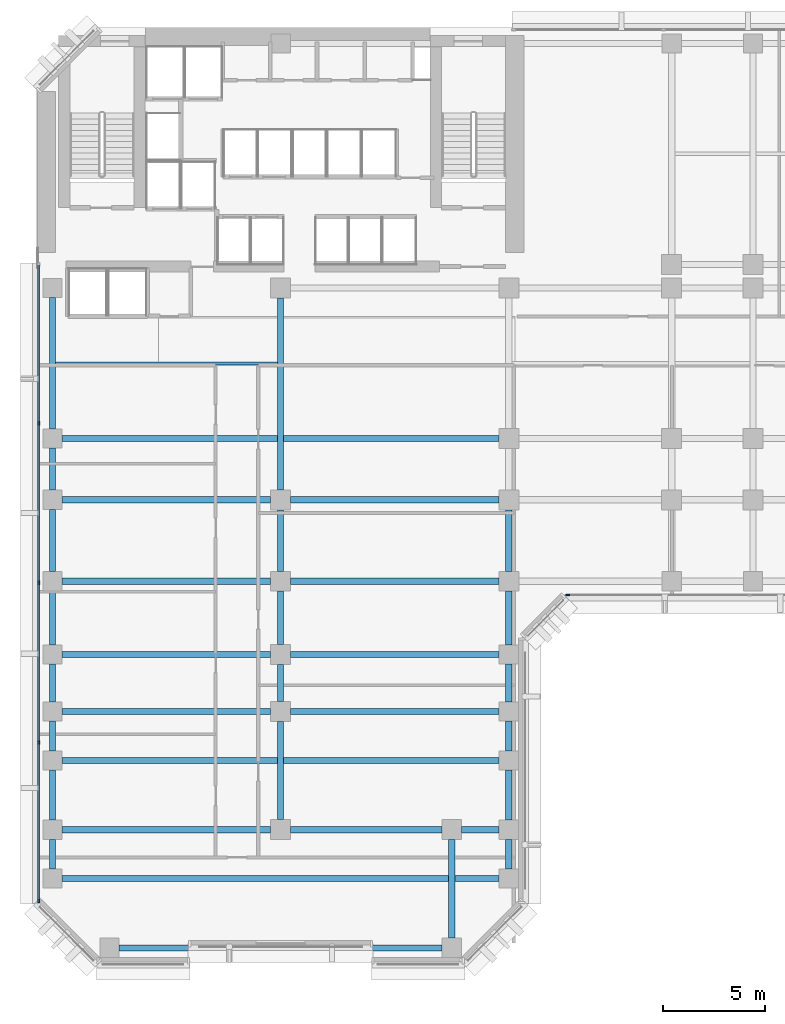
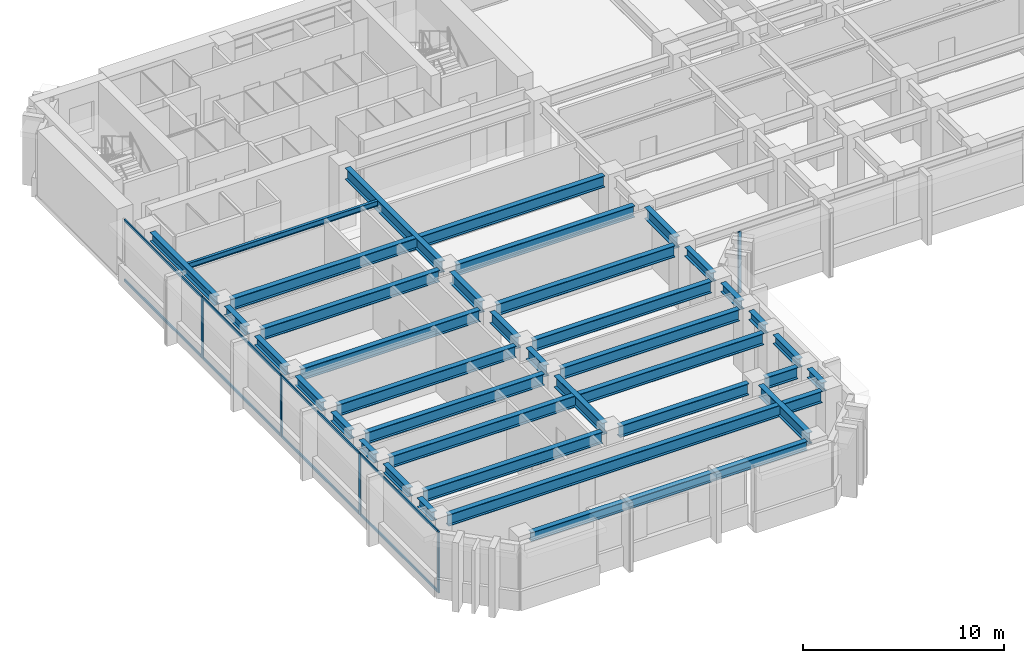
# One storey, part 2 of 14: 36 beams, 13 members, 2 elements without a shape of their own.
"""IFC4 building model written with IfcOpenShell, lengths in metres."""

from ifc_helpers import new_model, si_unit, direction, frame, origin, origin_2d, place, context, subcontext, project, spatial, rectangle, i_section, extrude, material, layer, layer_set, material_profile, profile_set, type_object, element, aggregate, save


model = new_model("IFC4")

# Units and contexts
model_context = context("Model", 3, precision=1e-05, world=origin(), true_north=direction((0.0, 1.0)))
body_context = subcontext(model_context, "Body", "Model", "MODEL_VIEW")
ifc_project = project(units=[si_unit("LENGTHUNIT", "METRE"), si_unit("AREAUNIT", "SQUARE_METRE"), si_unit("VOLUMEUNIT", "CUBIC_METRE"), si_unit("PLANEANGLEUNIT", "RADIAN"), si_unit("MASSUNIT", "GRAM", prefix="KILO")], contexts=[model_context])

# Site, building, storey
site_placement = place(None, origin())
site = spatial("IfcSite", under=ifc_project, at=site_placement, CompositionType="ELEMENT")
building_placement = place(site_placement, origin())
building = spatial("IfcBuilding", under=site, at=building_placement, Name="Kefirva Bronze Tower", CompositionType="ELEMENT")
storey_placement = place(building_placement, frame((0.0, 0.0, 50.159912109375)))
storey = spatial("IfcBuildingStorey", under=building, at=storey_placement, Name="L11", CompositionType="ELEMENT", Elevation=50.159912109375)

# Curtain wall, member
ifc_material_1 = material(Name="Bronze anodised aluminium", Category="aluminium")
ifc_layer = layer(ifc_material_1, 0.199951171875, Name="Bronze anodised aluminium")
ifc_layer_set = layer_set([ifc_layer], Name="Bronze anodised aluminium")
curtain_wall_type = type_object("IfcCurtainWallType", Name="Unitised Bronze Ribbon Curtain Wall Zone 1", PredefinedType="USERDEFINED", material=ifc_layer_set)
curtain_wall_1_placement = place(storey_placement, origin())
curtain_wall_1 = element("IfcCurtainWall", 1, at=curtain_wall_1_placement, inside=storey, type_object=curtain_wall_type, Name="L11 Curtain Wall 1", ObjectType="UNITISED CURTAIN WALL", PredefinedType="USERDEFINED")
ifc_material_profile_1 = material_profile(ifc_material_1, rectangle(XDim=0.074951171875, YDim=0.179931640625, at=origin_2d()), Name="ALU 75x180")
ifc_profile_set_1 = profile_set([ifc_material_profile_1], Name="Bronze anodised aluminium")
member_type_1 = type_object("IfcMemberType", Name="Bronze Mullion 75x180", PredefinedType="MULLION", material=ifc_profile_set_1)
member_1_placement = place(storey_placement, frame((26.092529296875, 18.1201171875, 0.0), z_axis=(0.0, 0.0, 1.0), x_axis=(0.0, 1.0, 0.0)))
member_1 = element("IfcMember", 2, at=member_1_placement, type_object=member_type_1, Name="CW-01 mullion 1", PredefinedType="MULLION", context=body_context, shape_type="SweptSolid", body=[
    extrude(rectangle(XDim=0.074951171875, YDim=0.179931640625, at=origin_2d()), origin(), (0.0, 0.0, 1.0), 3.710205078125),
])
aggregate(curtain_wall_1, [member_1])

# Curtain wall, members
curtain_wall_2_placement = place(storey_placement, origin())
curtain_wall_2 = element("IfcCurtainWall", 3, at=curtain_wall_2_placement, inside=storey, type_object=curtain_wall_type, Name="L11 Curtain Wall 4", ObjectType="UNITISED CURTAIN WALL", PredefinedType="USERDEFINED")
member_2_placement = place(storey_placement, frame((0.1201171875, 26.56005859375, 0.0), z_axis=(0.0, 0.0, 1.0), x_axis=(1.0, 0.0, 0.0)))
member_2 = element("IfcMember", 4, at=member_2_placement, type_object=member_type_1, Name="CW-01 mullion 2", PredefinedType="MULLION", context=body_context, shape_type="SweptSolid", body=[
    extrude(rectangle(XDim=0.074951171875, YDim=0.179931640625, at=origin_2d()), origin(), (0.0, 0.0, 1.0), 3.710205078125),
])
member_3_placement = place(storey_placement, frame((0.1201171875, 18.72509765625, 0.0), z_axis=(0.0, 0.0, 1.0), x_axis=(1.0, 0.0, 0.0)))
member_3 = element("IfcMember", 5, at=member_3_placement, type_object=member_type_1, Name="CW-01 mullion 3", PredefinedType="MULLION", context=body_context, shape_type="SweptSolid", body=[
    extrude(rectangle(XDim=0.074951171875, YDim=0.179931640625, at=origin_2d()), origin(), (0.0, 0.0, 1.0), 3.710205078125),
])
member_4_placement = place(storey_placement, frame((0.1201171875, 10.889892578125, 0.0), z_axis=(0.0, 0.0, 1.0), x_axis=(1.0, 0.0, 0.0)))
member_4 = element("IfcMember", 6, at=member_4_placement, type_object=member_type_1, Name="CW-01 mullion 4", PredefinedType="MULLION", context=body_context, shape_type="SweptSolid", body=[
    extrude(rectangle(XDim=0.074951171875, YDim=0.179931640625, at=origin_2d()), origin(), (0.0, 0.0, 1.0), 3.710205078125),
])
member_5_placement = place(storey_placement, frame((0.1201171875, 3.092529296875, 0.0), z_axis=(0.0, 0.0, 1.0), x_axis=(1.0, 0.0, 0.0)))
member_5 = element("IfcMember", 7, at=member_5_placement, type_object=member_type_1, Name="CW-01 mullion 5", PredefinedType="MULLION", context=body_context, shape_type="SweptSolid", body=[
    extrude(rectangle(XDim=0.074951171875, YDim=0.179931640625, at=origin_2d()), origin(), (0.0, 0.0, 1.0), 3.710205078125),
])
ifc_material_profile_2 = material_profile(ifc_material_1, rectangle(XDim=0.074951171875, YDim=0.14990234375, at=origin_2d()), Name="ALU 75x150")
ifc_profile_set_2 = profile_set([ifc_material_profile_2], Name="Bronze anodised aluminium")
member_type_2 = type_object("IfcMemberType", Name="Bronze Transom 75x150", PredefinedType="USERDEFINED", material=ifc_profile_set_2)
member_6_placement = place(storey_placement, frame((0.1201171875, 34.320068359375, 0.03759765625), z_axis=(0.0, -1.0, 0.0), x_axis=(1.0, 0.0, 0.0)))
member_6 = element("IfcMember", 8, at=member_6_placement, type_object=member_type_2, Name="CW-01 transom 1.1", ObjectType="TRANSOM", PredefinedType="USERDEFINED", context=body_context, shape_type="SweptSolid", body=[
    extrude(rectangle(XDim=0.074951171875, YDim=0.14990234375, at=origin_2d()), origin(), (0.0, 0.0, 1.0), 7.72265625),
])
member_7_placement = place(storey_placement, frame((0.1201171875, 34.320068359375, 3.672607421875), z_axis=(0.0, -1.0, 0.0), x_axis=(1.0, 0.0, 0.0)))
member_7 = element("IfcMember", 9, at=member_7_placement, type_object=member_type_2, Name="CW-01 transom 1.2", ObjectType="TRANSOM", PredefinedType="USERDEFINED", context=body_context, shape_type="SweptSolid", body=[
    extrude(rectangle(XDim=0.074951171875, YDim=0.14990234375, at=origin_2d()), origin(), (0.0, 0.0, 1.0), 7.72265625),
])
member_8_placement = place(storey_placement, frame((0.1201171875, 26.5224609375, 0.03759765625), z_axis=(0.0, -1.0, 0.0), x_axis=(1.0, 0.0, 0.0)))
member_8 = element("IfcMember", 10, at=member_8_placement, type_object=member_type_2, Name="CW-01 transom 2.1", ObjectType="TRANSOM", PredefinedType="USERDEFINED", context=body_context, shape_type="SweptSolid", body=[
    extrude(rectangle(XDim=0.074951171875, YDim=0.14990234375, at=origin_2d()), origin(), (0.0, 0.0, 1.0), 7.760009765625),
])
member_9_placement = place(storey_placement, frame((0.1201171875, 26.5224609375, 3.672607421875), z_axis=(0.0, -1.0, 0.0), x_axis=(1.0, 0.0, 0.0)))
member_9 = element("IfcMember", 11, at=member_9_placement, type_object=member_type_2, Name="CW-01 transom 2.2", ObjectType="TRANSOM", PredefinedType="USERDEFINED", context=body_context, shape_type="SweptSolid", body=[
    extrude(rectangle(XDim=0.074951171875, YDim=0.14990234375, at=origin_2d()), origin(), (0.0, 0.0, 1.0), 7.760009765625),
])
member_10_placement = place(storey_placement, frame((0.1201171875, 18.6875, 0.03759765625), z_axis=(0.0, -1.0, 0.0), x_axis=(1.0, 0.0, 0.0)))
member_10 = element("IfcMember", 12, at=member_10_placement, type_object=member_type_2, Name="CW-01 transom 3.1", ObjectType="TRANSOM", PredefinedType="USERDEFINED", context=body_context, shape_type="SweptSolid", body=[
    extrude(rectangle(XDim=0.074951171875, YDim=0.14990234375, at=origin_2d()), origin(), (0.0, 0.0, 1.0), 7.760009765625),
])
member_11_placement = place(storey_placement, frame((0.1201171875, 18.6875, 3.672607421875), z_axis=(0.0, -1.0, 0.0), x_axis=(1.0, 0.0, 0.0)))
member_11 = element("IfcMember", 13, at=member_11_placement, type_object=member_type_2, Name="CW-01 transom 3.2", ObjectType="TRANSOM", PredefinedType="USERDEFINED", context=body_context, shape_type="SweptSolid", body=[
    extrude(rectangle(XDim=0.074951171875, YDim=0.14990234375, at=origin_2d()), origin(), (0.0, 0.0, 1.0), 7.760009765625),
])
member_12_placement = place(storey_placement, frame((0.1201171875, 10.8525390625, 0.03759765625), z_axis=(0.0, -1.0, 0.0), x_axis=(1.0, 0.0, 0.0)))
member_12 = element("IfcMember", 14, at=member_12_placement, type_object=member_type_2, Name="CW-01 transom 4.1", ObjectType="TRANSOM", PredefinedType="USERDEFINED", context=body_context, shape_type="SweptSolid", body=[
    extrude(rectangle(XDim=0.074951171875, YDim=0.14990234375, at=origin_2d()), origin(), (0.0, 0.0, 1.0), 7.72265625),
])
member_13_placement = place(storey_placement, frame((0.1201171875, 10.8525390625, 3.672607421875), z_axis=(0.0, -1.0, 0.0), x_axis=(1.0, 0.0, 0.0)))
member_13 = element("IfcMember", 15, at=member_13_placement, type_object=member_type_2, Name="CW-01 transom 4.2", ObjectType="TRANSOM", PredefinedType="USERDEFINED", context=body_context, shape_type="SweptSolid", body=[
    extrude(rectangle(XDim=0.074951171875, YDim=0.14990234375, at=origin_2d()), origin(), (0.0, 0.0, 1.0), 7.72265625),
])
aggregate(curtain_wall_2, [member_2, member_3, member_4, member_5, member_6, member_7, member_8, member_9, member_10, member_11, member_12, member_13])

# Beams
ifc_material_2 = material(Name="Steel S355", Category="steel")
ifc_material_profile_3 = material_profile(ifc_material_2, i_section(OverallWidth=0.159912109375, OverallDepth=0.330078125, WebThickness=0.007568359375, FlangeThickness=0.011474609375, at=origin_2d()), Name="IPE 330")
ifc_profile_set_3 = profile_set([ifc_material_profile_3], Name="Steel S355")
beam_type_1 = type_object("IfcBeamType", Name="Steel Floor Joist IPE 330", PredefinedType="JOIST", material=ifc_profile_set_3)
beam_1_placement = place(storey_placement, frame((0.949951171875, 29.489990234375, 3.545166015625), z_axis=(1.0, 0.0, 0.0), x_axis=(0.0, 1.0, 0.0)))
element("IfcBeam", 16, at=beam_1_placement, inside=storey, type_object=beam_type_1, Name="L11 JST-L11-0-294", PredefinedType="JOIST", context=body_context, shape_type="SweptSolid", body=[
    extrude(i_section(OverallWidth=0.159912109375, OverallDepth=0.330078125, WebThickness=0.007568359375, FlangeThickness=0.011474609375, at=origin_2d()), origin(), (0.0, 0.0, 1.0), 10.900146484375),
])
ifc_material_profile_4 = material_profile(ifc_material_2, i_section(OverallWidth=0.300048828125, OverallDepth=0.699951171875, WebThickness=0.01708984375, FlangeThickness=0.031982421875, at=origin_2d()), Name="HEB 700")
ifc_profile_set_4 = profile_set([ifc_material_profile_4], Name="Steel S355")
beam_type_2 = type_object("IfcBeamType", Name="Steel Girder HEB 700", PredefinedType="USERDEFINED", material=ifc_profile_set_4)
beam_2_placement = place(storey_placement, frame((1.27001953125, 4.199951171875, 3.360107421875), z_axis=(1.0, 0.0, 0.0), x_axis=(0.0, 1.0, 0.0)))
element("IfcBeam", 17, at=beam_2_placement, inside=storey, type_object=beam_type_2, Name="L11 BM-L11-EW-0-42", ObjectType="GIRDER", PredefinedType="USERDEFINED", context=body_context, shape_type="SweptSolid", body=[
    extrude(i_section(OverallWidth=0.300048828125, OverallDepth=0.699951171875, WebThickness=0.01708984375, FlangeThickness=0.031982421875, at=origin_2d()), origin(), (0.0, 0.0, 1.0), 21.4599609375),
])
beam_3_placement = place(storey_placement, frame((1.27001953125, 6.60009765625, 3.360107421875), z_axis=(1.0, 0.0, 0.0), x_axis=(0.0, 1.0, 0.0)))
element("IfcBeam", 18, at=beam_3_placement, inside=storey, type_object=beam_type_2, Name="L11 BM-L11-EW-0-66", ObjectType="GIRDER", PredefinedType="USERDEFINED", context=body_context, shape_type="SweptSolid", body=[
    extrude(i_section(OverallWidth=0.300048828125, OverallDepth=0.699951171875, WebThickness=0.01708984375, FlangeThickness=0.031982421875, at=origin_2d()), origin(), (0.0, 0.0, 1.0), 10.239990234375),
])
beam_4_placement = place(storey_placement, frame((12.489990234375, 6.60009765625, 3.360107421875), z_axis=(1.0, 0.0, 0.0), x_axis=(0.0, 1.0, 0.0)))
element("IfcBeam", 19, at=beam_4_placement, inside=storey, type_object=beam_type_2, Name="L11 BM-L11-EW-12-66", ObjectType="GIRDER", PredefinedType="USERDEFINED", context=body_context, shape_type="SweptSolid", body=[
    extrude(i_section(OverallWidth=0.300048828125, OverallDepth=0.699951171875, WebThickness=0.01708984375, FlangeThickness=0.031982421875, at=origin_2d()), origin(), (0.0, 0.0, 1.0), 7.419921875),
])
beam_5_placement = place(storey_placement, frame((20.889892578125, 6.60009765625, 3.360107421875), z_axis=(1.0, 0.0, 0.0), x_axis=(0.0, 1.0, 0.0)))
element("IfcBeam", 20, at=beam_5_placement, inside=storey, type_object=beam_type_2, Name="L11 BM-L11-EW-20-66", ObjectType="GIRDER", PredefinedType="USERDEFINED", context=body_context, shape_type="SweptSolid", body=[
    extrude(i_section(OverallWidth=0.300048828125, OverallDepth=0.699951171875, WebThickness=0.01708984375, FlangeThickness=0.031982421875, at=origin_2d()), origin(), (0.0, 0.0, 1.0), 1.840087890625),
])
beam_6_placement = place(storey_placement, frame((1.27001953125, 10.0, 3.360107421875), z_axis=(1.0, 0.0, 0.0), x_axis=(0.0, 1.0, 0.0)))
element("IfcBeam", 21, at=beam_6_placement, inside=storey, type_object=beam_type_2, Name="L11 BM-L11-EW-0-100", ObjectType="GIRDER", PredefinedType="USERDEFINED", context=body_context, shape_type="SweptSolid", body=[
    extrude(i_section(OverallWidth=0.300048828125, OverallDepth=0.699951171875, WebThickness=0.01708984375, FlangeThickness=0.031982421875, at=origin_2d()), origin(), (0.0, 0.0, 1.0), 21.4599609375),
])
for number, where, z_axis, x_axis, name in (
    (22, (1.27001953125, 12.39990234375, 3.360107421875), (1.0, 0.0, 0.0), (0.0, 1.0, 0.0), "L11 BM-L11-EW-0-124"),
    (23, (12.489990234375, 12.39990234375, 3.360107421875), (1.0, 0.0, 0.0), (0.0, 1.0, 0.0), "L11 BM-L11-EW-12-124"),
    (24, (1.27001953125, 15.199951171875, 3.360107421875), (1.0, 0.0, 0.0), (0.0, 1.0, 0.0), "L11 BM-L11-EW-0-152"),
    (25, (12.489990234375, 15.199951171875, 3.360107421875), (1.0, 0.0, 0.0), (0.0, 1.0, 0.0), "L11 BM-L11-EW-12-152"),
    (26, (1.27001953125, 18.800048828125, 3.360107421875), (1.0, 0.0, 0.0), (0.0, 1.0, 0.0), "L11 BM-L11-EW-0-188"),
):
    element("IfcBeam", number, at=place(storey_placement, frame(where, z_axis=z_axis, x_axis=x_axis)), inside=storey, type_object=beam_type_2, Name=name, ObjectType="GIRDER", PredefinedType="USERDEFINED", context=body_context, shape_type="SweptSolid", body=[
        extrude(i_section(OverallWidth=0.300048828125, OverallDepth=0.699951171875, WebThickness=0.01708984375, FlangeThickness=0.031982421875, at=origin_2d()), origin(), (0.0, 0.0, 1.0), 10.239990234375),
    ])
beam_7_placement = place(storey_placement, frame((12.489990234375, 18.800048828125, 3.360107421875), z_axis=(1.0, 0.0, 0.0), x_axis=(0.0, 1.0, 0.0)))
element("IfcBeam", 27, at=beam_7_placement, inside=storey, type_object=beam_type_2, Name="L11 BM-L11-EW-12-188", ObjectType="GIRDER", PredefinedType="USERDEFINED", context=body_context, shape_type="SweptSolid", body=[
    extrude(i_section(OverallWidth=0.300048828125, OverallDepth=0.699951171875, WebThickness=0.01708984375, FlangeThickness=0.031982421875, at=origin_2d()), origin(), (0.0, 0.0, 1.0), 10.219970703125),
])
beam_8_placement = place(storey_placement, frame((1.27001953125, 22.800048828125, 3.360107421875), z_axis=(1.0, 0.0, 0.0), x_axis=(0.0, 1.0, 0.0)))
element("IfcBeam", 28, at=beam_8_placement, inside=storey, type_object=beam_type_2, Name="L11 BM-L11-EW-0-228", ObjectType="GIRDER", PredefinedType="USERDEFINED", context=body_context, shape_type="SweptSolid", body=[
    extrude(i_section(OverallWidth=0.300048828125, OverallDepth=0.699951171875, WebThickness=0.01708984375, FlangeThickness=0.031982421875, at=origin_2d()), origin(), (0.0, 0.0, 1.0), 10.239990234375),
])
beam_9_placement = place(storey_placement, frame((12.489990234375, 22.800048828125, 3.360107421875), z_axis=(1.0, 0.0, 0.0), x_axis=(0.0, 1.0, 0.0)))
element("IfcBeam", 29, at=beam_9_placement, inside=storey, type_object=beam_type_2, Name="L11 BM-L11-EW-12-228", ObjectType="GIRDER", PredefinedType="USERDEFINED", context=body_context, shape_type="SweptSolid", body=[
    extrude(i_section(OverallWidth=0.300048828125, OverallDepth=0.699951171875, WebThickness=0.01708984375, FlangeThickness=0.031982421875, at=origin_2d()), origin(), (0.0, 0.0, 1.0), 10.219970703125),
])
beam_10_placement = place(storey_placement, frame((1.27001953125, 25.800048828125, 3.360107421875), z_axis=(1.0, 0.0, 0.0), x_axis=(0.0, 1.0, 0.0)))
element("IfcBeam", 30, at=beam_10_placement, inside=storey, type_object=beam_type_2, Name="L11 BM-L11-EW-0-258", ObjectType="GIRDER", PredefinedType="USERDEFINED", context=body_context, shape_type="SweptSolid", body=[
    extrude(i_section(OverallWidth=0.300048828125, OverallDepth=0.699951171875, WebThickness=0.01708984375, FlangeThickness=0.031982421875, at=origin_2d()), origin(), (0.0, 0.0, 1.0), 21.43994140625),
])
beam_11_placement = place(storey_placement, frame((12.0, 7.090087890625, 3.360107421875), z_axis=(0.0, 1.0, 0.0), x_axis=(-1.0, 0.0, 0.0)))
element("IfcBeam", 31, at=beam_11_placement, inside=storey, type_object=beam_type_2, Name="L11 BM-L11-NS-120-6", ObjectType="GIRDER", PredefinedType="USERDEFINED", context=body_context, shape_type="SweptSolid", body=[
    extrude(i_section(OverallWidth=0.300048828125, OverallDepth=0.699951171875, WebThickness=0.01708984375, FlangeThickness=0.031982421875, at=origin_2d()), origin(), (0.0, 0.0, 1.0), 4.81982421875),
])
beam_12_placement = place(storey_placement, frame((12.0, 12.889892578125, 3.360107421875), z_axis=(0.0, 1.0, 0.0), x_axis=(-1.0, 0.0, 0.0)))
element("IfcBeam", 32, at=beam_12_placement, inside=storey, type_object=beam_type_2, Name="L11 BM-L11-NS-120-12", ObjectType="GIRDER", PredefinedType="USERDEFINED", context=body_context, shape_type="SweptSolid", body=[
    extrude(i_section(OverallWidth=0.300048828125, OverallDepth=0.699951171875, WebThickness=0.01708984375, FlangeThickness=0.031982421875, at=origin_2d()), origin(), (0.0, 0.0, 1.0), 1.820068359375),
])
beam_13_placement = place(storey_placement, frame((12.0, 15.68994140625, 3.360107421875), z_axis=(0.0, 1.0, 0.0), x_axis=(-1.0, 0.0, 0.0)))
element("IfcBeam", 33, at=beam_13_placement, inside=storey, type_object=beam_type_2, Name="L11 BM-L11-NS-120-15", ObjectType="GIRDER", PredefinedType="USERDEFINED", context=body_context, shape_type="SweptSolid", body=[
    extrude(i_section(OverallWidth=0.300048828125, OverallDepth=0.699951171875, WebThickness=0.01708984375, FlangeThickness=0.031982421875, at=origin_2d()), origin(), (0.0, 0.0, 1.0), 2.6201171875),
])
beam_14_placement = place(storey_placement, frame((12.0, 19.2900390625, 3.360107421875), z_axis=(0.0, 1.0, 0.0), x_axis=(-1.0, 0.0, 0.0)))
element("IfcBeam", 34, at=beam_14_placement, inside=storey, type_object=beam_type_2, Name="L11 BM-L11-NS-120-18", ObjectType="GIRDER", PredefinedType="USERDEFINED", context=body_context, shape_type="SweptSolid", body=[
    extrude(i_section(OverallWidth=0.300048828125, OverallDepth=0.699951171875, WebThickness=0.01708984375, FlangeThickness=0.031982421875, at=origin_2d()), origin(), (0.0, 0.0, 1.0), 3.02001953125),
])
beam_15_placement = place(storey_placement, frame((12.0, 23.2900390625, 3.360107421875), z_axis=(0.0, 1.0, 0.0), x_axis=(-1.0, 0.0, 0.0)))
element("IfcBeam", 35, at=beam_15_placement, inside=storey, type_object=beam_type_2, Name="L11 BM-L11-NS-120-22", ObjectType="GIRDER", PredefinedType="USERDEFINED", context=body_context, shape_type="SweptSolid", body=[
    extrude(i_section(OverallWidth=0.300048828125, OverallDepth=0.699951171875, WebThickness=0.01708984375, FlangeThickness=0.031982421875, at=origin_2d()), origin(), (0.0, 0.0, 1.0), 9.419921875),
])
beam_16_placement = place(storey_placement, frame((20.39990234375, 1.27001953125, 3.360107421875), z_axis=(0.0, 1.0, 0.0), x_axis=(-1.0, 0.0, 0.0)))
element("IfcBeam", 36, at=beam_16_placement, inside=storey, type_object=beam_type_2, Name="L11 BM-L11-NS-204-0", ObjectType="GIRDER", PredefinedType="USERDEFINED", context=body_context, shape_type="SweptSolid", body=[
    extrude(i_section(OverallWidth=0.300048828125, OverallDepth=0.699951171875, WebThickness=0.01708984375, FlangeThickness=0.031982421875, at=origin_2d()), origin(), (0.0, 0.0, 1.0), 4.840087890625),
])
beam_17_placement = place(storey_placement, frame((23.199951171875, 19.2900390625, 3.360107421875), z_axis=(0.0, 1.0, 0.0), x_axis=(-1.0, 0.0, 0.0)))
element("IfcBeam", 37, at=beam_17_placement, inside=storey, type_object=beam_type_2, Name="L11 BM-L11-NS-232-18", ObjectType="GIRDER", PredefinedType="USERDEFINED", context=body_context, shape_type="SweptSolid", body=[
    extrude(i_section(OverallWidth=0.300048828125, OverallDepth=0.699951171875, WebThickness=0.01708984375, FlangeThickness=0.031982421875, at=origin_2d()), origin(), (0.0, 0.0, 1.0), 3.02001953125),
])
ifc_material_profile_5 = material_profile(ifc_material_2, i_section(OverallWidth=0.300048828125, OverallDepth=0.550048828125, WebThickness=0.014892578125, FlangeThickness=0.029052734375, at=origin_2d()), Name="HEB 550")
ifc_profile_set_5 = profile_set([ifc_material_profile_5], Name="Steel S355")
beam_type_3 = type_object("IfcBeamType", Name="Steel Spandrel HEB 550 Ext", PredefinedType="SPANDREL", material=ifc_profile_set_5)
beam_18_placement = place(storey_placement, frame((4.070068359375, 0.800048828125, 3.43505859375), z_axis=(1.0, 0.0, 0.0), x_axis=(0.0, 1.0, 0.0)))
element("IfcBeam", 38, at=beam_18_placement, inside=storey, type_object=beam_type_3, Name="L11 BM-L11-EW-3-8", PredefinedType="SPANDREL", context=body_context, shape_type="SweptSolid", body=[
    extrude(i_section(OverallWidth=0.300048828125, OverallDepth=0.550048828125, WebThickness=0.014892578125, FlangeThickness=0.029052734375, at=origin_2d()), origin(), (0.0, 0.0, 1.0), 15.85986328125),
])
beam_19_placement = place(storey_placement, frame((0.800048828125, 4.669921875, 3.43505859375), z_axis=(0.0, 1.0, 0.0), x_axis=(-1.0, 0.0, 0.0)))
element("IfcBeam", 39, at=beam_19_placement, inside=storey, type_object=beam_type_3, Name="L11 BM-L11-NS-8-4", PredefinedType="SPANDREL", context=body_context, shape_type="SweptSolid", body=[
    extrude(i_section(OverallWidth=0.300048828125, OverallDepth=0.550048828125, WebThickness=0.014892578125, FlangeThickness=0.029052734375, at=origin_2d()), origin(), (0.0, 0.0, 1.0), 1.4599609375),
])
beam_20_placement = place(storey_placement, frame((0.800048828125, 7.070068359375, 3.43505859375), z_axis=(0.0, 1.0, 0.0), x_axis=(-1.0, 0.0, 0.0)))
element("IfcBeam", 40, at=beam_20_placement, inside=storey, type_object=beam_type_3, Name="L11 BM-L11-NS-8-6", PredefinedType="SPANDREL", context=body_context, shape_type="SweptSolid", body=[
    extrude(i_section(OverallWidth=0.300048828125, OverallDepth=0.550048828125, WebThickness=0.014892578125, FlangeThickness=0.029052734375, at=origin_2d()), origin(), (0.0, 0.0, 1.0), 2.4599609375),
])
beam_21_placement = place(storey_placement, frame((0.800048828125, 10.469970703125, 3.43505859375), z_axis=(0.0, 1.0, 0.0), x_axis=(-1.0, 0.0, 0.0)))
element("IfcBeam", 41, at=beam_21_placement, inside=storey, type_object=beam_type_3, Name="L11 BM-L11-NS-8-10", PredefinedType="SPANDREL", context=body_context, shape_type="SweptSolid", body=[
    extrude(i_section(OverallWidth=0.300048828125, OverallDepth=0.550048828125, WebThickness=0.014892578125, FlangeThickness=0.029052734375, at=origin_2d()), origin(), (0.0, 0.0, 1.0), 1.4599609375),
])
beam_22_placement = place(storey_placement, frame((0.800048828125, 12.8701171875, 3.43505859375), z_axis=(0.0, 1.0, 0.0), x_axis=(-1.0, 0.0, 0.0)))
element("IfcBeam", 42, at=beam_22_placement, inside=storey, type_object=beam_type_3, Name="L11 BM-L11-NS-8-12", PredefinedType="SPANDREL", context=body_context, shape_type="SweptSolid", body=[
    extrude(i_section(OverallWidth=0.300048828125, OverallDepth=0.550048828125, WebThickness=0.014892578125, FlangeThickness=0.029052734375, at=origin_2d()), origin(), (0.0, 0.0, 1.0), 1.85986328125),
])
beam_23_placement = place(storey_placement, frame((0.800048828125, 15.669921875, 3.43505859375), z_axis=(0.0, 1.0, 0.0), x_axis=(-1.0, 0.0, 0.0)))
element("IfcBeam", 43, at=beam_23_placement, inside=storey, type_object=beam_type_3, Name="L11 BM-L11-NS-8-15", PredefinedType="SPANDREL", context=body_context, shape_type="SweptSolid", body=[
    extrude(i_section(OverallWidth=0.300048828125, OverallDepth=0.550048828125, WebThickness=0.014892578125, FlangeThickness=0.029052734375, at=origin_2d()), origin(), (0.0, 0.0, 1.0), 2.66015625),
])
beam_24_placement = place(storey_placement, frame((0.800048828125, 19.27001953125, 3.43505859375), z_axis=(0.0, 1.0, 0.0), x_axis=(-1.0, 0.0, 0.0)))
element("IfcBeam", 44, at=beam_24_placement, inside=storey, type_object=beam_type_3, Name="L11 BM-L11-NS-8-18", PredefinedType="SPANDREL", context=body_context, shape_type="SweptSolid", body=[
    extrude(i_section(OverallWidth=0.300048828125, OverallDepth=0.550048828125, WebThickness=0.014892578125, FlangeThickness=0.029052734375, at=origin_2d()), origin(), (0.0, 0.0, 1.0), 3.06005859375),
])
beam_25_placement = place(storey_placement, frame((0.800048828125, 23.27001953125, 3.43505859375), z_axis=(0.0, 1.0, 0.0), x_axis=(-1.0, 0.0, 0.0)))
element("IfcBeam", 45, at=beam_25_placement, inside=storey, type_object=beam_type_3, Name="L11 BM-L11-NS-8-22", PredefinedType="SPANDREL", context=body_context, shape_type="SweptSolid", body=[
    extrude(i_section(OverallWidth=0.300048828125, OverallDepth=0.550048828125, WebThickness=0.014892578125, FlangeThickness=0.029052734375, at=origin_2d()), origin(), (0.0, 0.0, 1.0), 2.06005859375),
])
beam_26_placement = place(storey_placement, frame((0.800048828125, 26.27001953125, 3.43505859375), z_axis=(0.0, 1.0, 0.0), x_axis=(-1.0, 0.0, 0.0)))
element("IfcBeam", 46, at=beam_26_placement, inside=storey, type_object=beam_type_3, Name="L11 BM-L11-NS-8-25", PredefinedType="SPANDREL", context=body_context, shape_type="SweptSolid", body=[
    extrude(i_section(OverallWidth=0.300048828125, OverallDepth=0.550048828125, WebThickness=0.014892578125, FlangeThickness=0.029052734375, at=origin_2d()), origin(), (0.0, 0.0, 1.0), 6.4599609375),
])
beam_27_placement = place(storey_placement, frame((23.199951171875, 4.669921875, 3.43505859375), z_axis=(0.0, 1.0, 0.0), x_axis=(-1.0, 0.0, 0.0)))
element("IfcBeam", 47, at=beam_27_placement, inside=storey, type_object=beam_type_3, Name="L11 BM-L11-NS-232-4", PredefinedType="SPANDREL", context=body_context, shape_type="SweptSolid", body=[
    extrude(i_section(OverallWidth=0.300048828125, OverallDepth=0.550048828125, WebThickness=0.014892578125, FlangeThickness=0.029052734375, at=origin_2d()), origin(), (0.0, 0.0, 1.0), 1.4599609375),
])
beam_28_placement = place(storey_placement, frame((23.199951171875, 7.070068359375, 3.43505859375), z_axis=(0.0, 1.0, 0.0), x_axis=(-1.0, 0.0, 0.0)))
element("IfcBeam", 48, at=beam_28_placement, inside=storey, type_object=beam_type_3, Name="L11 BM-L11-NS-232-6", PredefinedType="SPANDREL", context=body_context, shape_type="SweptSolid", body=[
    extrude(i_section(OverallWidth=0.300048828125, OverallDepth=0.550048828125, WebThickness=0.014892578125, FlangeThickness=0.029052734375, at=origin_2d()), origin(), (0.0, 0.0, 1.0), 2.4599609375),
])
beam_29_placement = place(storey_placement, frame((23.199951171875, 10.469970703125, 3.43505859375), z_axis=(0.0, 1.0, 0.0), x_axis=(-1.0, 0.0, 0.0)))
element("IfcBeam", 49, at=beam_29_placement, inside=storey, type_object=beam_type_3, Name="L11 BM-L11-NS-232-10", PredefinedType="SPANDREL", context=body_context, shape_type="SweptSolid", body=[
    extrude(i_section(OverallWidth=0.300048828125, OverallDepth=0.550048828125, WebThickness=0.014892578125, FlangeThickness=0.029052734375, at=origin_2d()), origin(), (0.0, 0.0, 1.0), 1.4599609375),
])
beam_30_placement = place(storey_placement, frame((23.199951171875, 12.8701171875, 3.43505859375), z_axis=(0.0, 1.0, 0.0), x_axis=(-1.0, 0.0, 0.0)))
element("IfcBeam", 50, at=beam_30_placement, inside=storey, type_object=beam_type_3, Name="L11 BM-L11-NS-232-12", PredefinedType="SPANDREL", context=body_context, shape_type="SweptSolid", body=[
    extrude(i_section(OverallWidth=0.300048828125, OverallDepth=0.550048828125, WebThickness=0.014892578125, FlangeThickness=0.029052734375, at=origin_2d()), origin(), (0.0, 0.0, 1.0), 1.85986328125),
])
beam_31_placement = place(storey_placement, frame((23.199951171875, 15.669921875, 3.43505859375), z_axis=(0.0, 1.0, 0.0), x_axis=(-1.0, 0.0, 0.0)))
element("IfcBeam", 51, at=beam_31_placement, inside=storey, type_object=beam_type_3, Name="L11 BM-L11-NS-232-15", PredefinedType="SPANDREL", context=body_context, shape_type="SweptSolid", body=[
    extrude(i_section(OverallWidth=0.300048828125, OverallDepth=0.550048828125, WebThickness=0.014892578125, FlangeThickness=0.029052734375, at=origin_2d()), origin(), (0.0, 0.0, 1.0), 2.64013671875),
])

save(model, "model.ifc")
